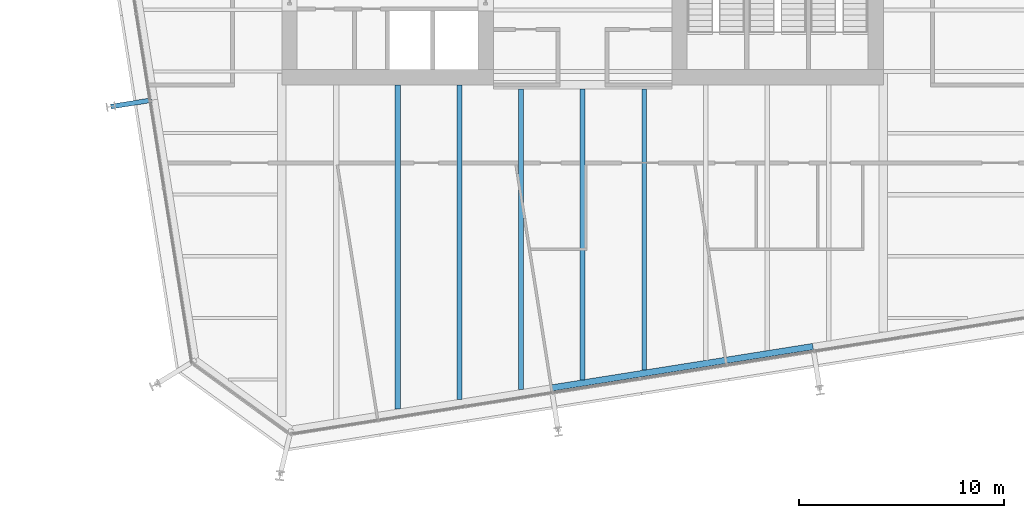
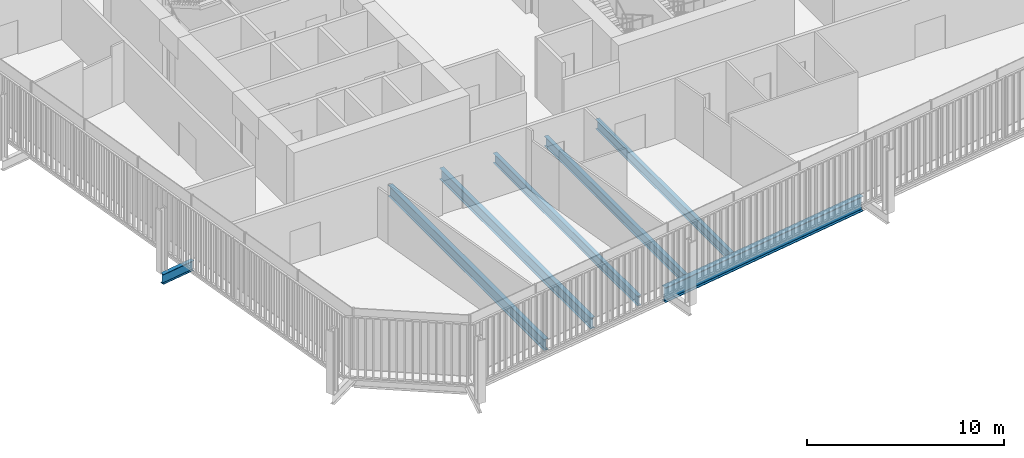
# One storey, part 3 of 21: 7 beams.
"""IFC4 building model written with IfcOpenShell, lengths in metres."""

from ifc_helpers import new_model, si_unit, direction, frame, origin, origin_2d, place, context, subcontext, project, spatial, i_section, extrude, material, material_profile, profile_set, type_object, element, save


model = new_model("IFC4")

# Units and contexts
model_context = context("Model", 3, precision=1e-05, world=origin(), true_north=direction((0.0, 1.0)))
body_context = subcontext(model_context, "Body", "Model", "MODEL_VIEW")
ifc_project = project(units=[si_unit("LENGTHUNIT", "METRE"), si_unit("AREAUNIT", "SQUARE_METRE"), si_unit("VOLUMEUNIT", "CUBIC_METRE"), si_unit("PLANEANGLEUNIT", "RADIAN"), si_unit("MASSUNIT", "GRAM", prefix="KILO")], contexts=[model_context])

# Site, building, storey
site_placement = place(None, origin())
site = spatial("IfcSite", under=ifc_project, at=site_placement, CompositionType="ELEMENT")
building_placement = place(site_placement, origin())
building = spatial("IfcBuilding", under=site, at=building_placement, Name="Millrace Tower", CompositionType="ELEMENT")
storey_placement = place(building_placement, frame((0.0, 0.0, 141.199951171875)))
storey = spatial("IfcBuildingStorey", under=building, at=storey_placement, Name="L31", CompositionType="ELEMENT", Elevation=141.199951171875)

# Beams
ifc_material_1 = material(Name="Steel ASTM A992 Grade 50", Category="steel")
ifc_material_profile_1 = material_profile(ifc_material_1, i_section(OverallWidth=0.228271484375, OverallDepth=0.607177734375, WebThickness=0.01123046875, FlangeThickness=0.017333984375, FilletRadius=0.0126953125, at=origin_2d()))
ifc_profile_set_1 = profile_set([ifc_material_profile_1], Name="Steel ASTM A992 Grade 50")
beam_type_1 = type_object("IfcBeamType", Name="Floor beam W24x76", PredefinedType="JOIST", material=ifc_profile_set_1)
beam_1_placement = place(storey_placement, frame((-3.0, -24.4970703125, -0.46337890625), z_axis=(0.0, 1.0, 0.0), x_axis=(-1.0, 0.0, 0.0)))
element("IfcBeam", 1, at=beam_1_placement, inside=storey, type_object=beam_type_1, Name="BM-C-L31-S1-S046", PredefinedType="JOIST", context=body_context, shape_type="SweptSolid", body=[
    extrude(i_section(OverallWidth=0.228271484375, OverallDepth=0.607177734375, WebThickness=0.01123046875, FlangeThickness=0.017333984375, FilletRadius=0.0126953125, at=origin_2d()), origin(), (0.0, 0.0, 1.0), 14.637451171875),
])
beam_2_placement = place(storey_placement, frame((0.0, -24.021728515625, -0.46337890625), z_axis=(0.0, 1.0, 0.0), x_axis=(-1.0, 0.0, 0.0)))
element("IfcBeam", 2, at=beam_2_placement, inside=storey, type_object=beam_type_1, Name="BM-C-L31-S1-S048", PredefinedType="JOIST", context=body_context, shape_type="SweptSolid", body=[
    extrude(i_section(OverallWidth=0.228271484375, OverallDepth=0.607177734375, WebThickness=0.01123046875, FlangeThickness=0.017333984375, FilletRadius=0.0126953125, at=origin_2d()), origin(), (0.0, 0.0, 1.0), 14.162109375),
])
beam_3_placement = place(storey_placement, frame((3.0, -23.546630859375, -0.46337890625), z_axis=(0.0, 1.0, 0.0), x_axis=(-1.0, 0.0, 0.0)))
element("IfcBeam", 3, at=beam_3_placement, inside=storey, type_object=beam_type_1, Name="BM-C-L31-S1-S050", PredefinedType="JOIST", context=body_context, shape_type="SweptSolid", body=[
    extrude(i_section(OverallWidth=0.228271484375, OverallDepth=0.607177734375, WebThickness=0.01123046875, FlangeThickness=0.017333984375, FilletRadius=0.0126953125, at=origin_2d()), origin(), (0.0, 0.0, 1.0), 13.68701171875),
])
ifc_material_2 = material(Name="Steel ASTM A992 Grade 50", Category="steel")
ifc_material_profile_2 = material_profile(ifc_material_2, i_section(OverallWidth=0.256591796875, OverallDepth=0.693359375, WebThickness=0.014404296875, FlangeThickness=0.023681640625, FilletRadius=0.01513671875, at=origin_2d()))
ifc_profile_set_2 = profile_set([ifc_material_profile_2], Name="Steel ASTM A992 Grade 50")
beam_type_2 = type_object("IfcBeamType", Name="Floor beam W27x114", PredefinedType="JOIST", material=ifc_profile_set_2)
beam_4_placement = place(storey_placement, frame((-9.0, -25.447265625, -0.506591796875), z_axis=(0.0, 1.0, 0.0), x_axis=(-1.0, 0.0, 0.0)))
element("IfcBeam", 4, at=beam_4_placement, inside=storey, type_object=beam_type_2, Name="BM-C-L31-S1-S042", PredefinedType="JOIST", context=body_context, shape_type="SweptSolid", body=[
    extrude(i_section(OverallWidth=0.256591796875, OverallDepth=0.693359375, WebThickness=0.014404296875, FlangeThickness=0.023681640625, FilletRadius=0.01513671875, at=origin_2d()), origin(), (0.0, 0.0, 1.0), 15.79736328125),
])
beam_5_placement = place(storey_placement, frame((-6.0, -24.97216796875, -0.506591796875), z_axis=(0.0, 1.0, 0.0), x_axis=(-1.0, 0.0, 0.0)))
element("IfcBeam", 5, at=beam_5_placement, inside=storey, type_object=beam_type_2, Name="BM-C-L31-S1-S044", PredefinedType="JOIST", context=body_context, shape_type="SweptSolid", body=[
    extrude(i_section(OverallWidth=0.256591796875, OverallDepth=0.693359375, WebThickness=0.014404296875, FlangeThickness=0.023681640625, FilletRadius=0.01513671875, at=origin_2d()), origin(), (0.0, 0.0, 1.0), 15.322265625),
])
ifc_material_3 = material(Name="Steel ASTM A992 Grade 50", Category="steel")
ifc_material_profile_3 = material_profile(ifc_material_3, i_section(OverallWidth=0.23046875, OverallDepth=0.6171875, WebThickness=0.01318359375, FlangeThickness=0.022216796875, FilletRadius=0.012939453125, at=origin_2d()))
ifc_profile_set_3 = profile_set([ifc_material_profile_3], Name="Steel ASTM A992 Grade 50")
beam_type_3 = type_object("IfcBeamType", Name="Link beam W24x94", PredefinedType="BEAM", material=ifc_profile_set_3)
beam_6_placement = place(storey_placement, frame((-21.001708984375, -10.396728515625, -0.468505859375), z_axis=(-0.987678691416, -0.156495375404, 0.0), x_axis=(0.156495375404, -0.987678691416, 0.0)))
element("IfcBeam", 6, at=beam_6_placement, inside=storey, type_object=beam_type_3, Name="LNK-C-L31-S1-02", PredefinedType="BEAM", context=body_context, shape_type="SweptSolid", body=[
    extrude(i_section(OverallWidth=0.23046875, OverallDepth=0.6171875, WebThickness=0.01318359375, FlangeThickness=0.022216796875, FilletRadius=0.012939453125, at=origin_2d()), origin(), (0.0, 0.0, 1.0), 2.0),
])
ifc_material_4 = material(Name="Steel ASTM A992 Grade 50", Category="steel")
ifc_material_profile_4 = material_profile(ifc_material_4, i_section(OverallWidth=0.307373046875, OverallDepth=0.927001953125, WebThickness=0.01953125, FlangeThickness=0.031982421875, FilletRadius=0.01904296875, at=origin_2d()))
ifc_profile_set_4 = profile_set([ifc_material_profile_4], Name="Steel ASTM A992 Grade 50")
beam_type_4 = type_object("IfcBeamType", Name="Ring beam medium span W36x194", PredefinedType="SPANDREL", material=ifc_profile_set_4)
beam_7_placement = place(storey_placement, frame((11.22265625, -22.39990234375, -0.62353515625), z_axis=(-0.987687196578, -0.156441687909, 0.0), x_axis=(0.156441687909, -0.987687196578, 0.0)))
element("IfcBeam", 7, at=beam_7_placement, inside=storey, type_object=beam_type_4, Name="RNG-C-L31-S1-14", PredefinedType="SPANDREL", context=body_context, shape_type="SweptSolid", body=[
    extrude(i_section(OverallWidth=0.307373046875, OverallDepth=0.927001953125, WebThickness=0.01953125, FlangeThickness=0.031982421875, FilletRadius=0.01904296875, at=origin_2d()), origin(), (0.0, 0.0, 1.0), 12.89990234375),
])

save(model, "model.ifc")
